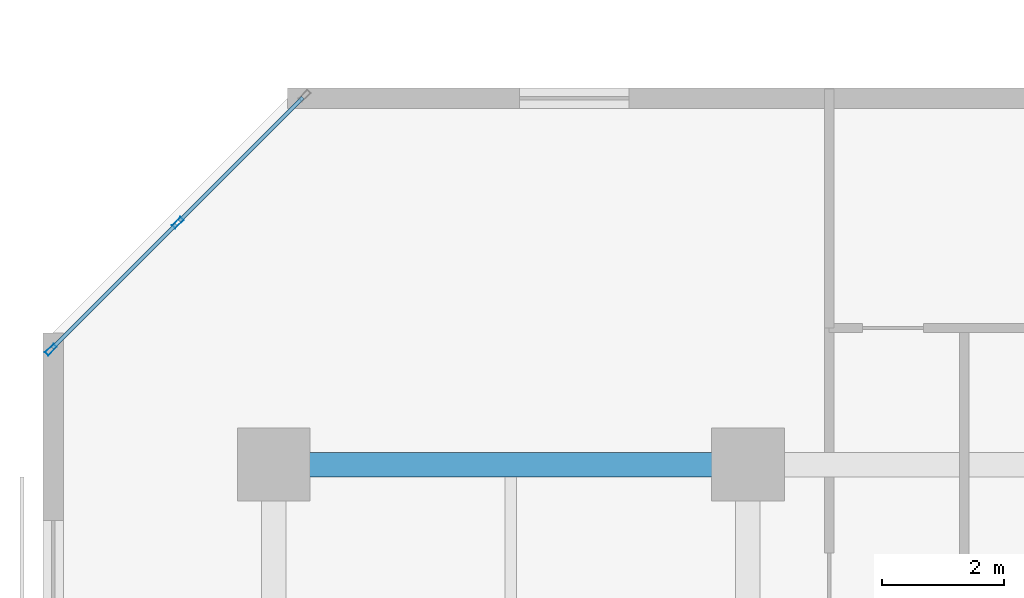
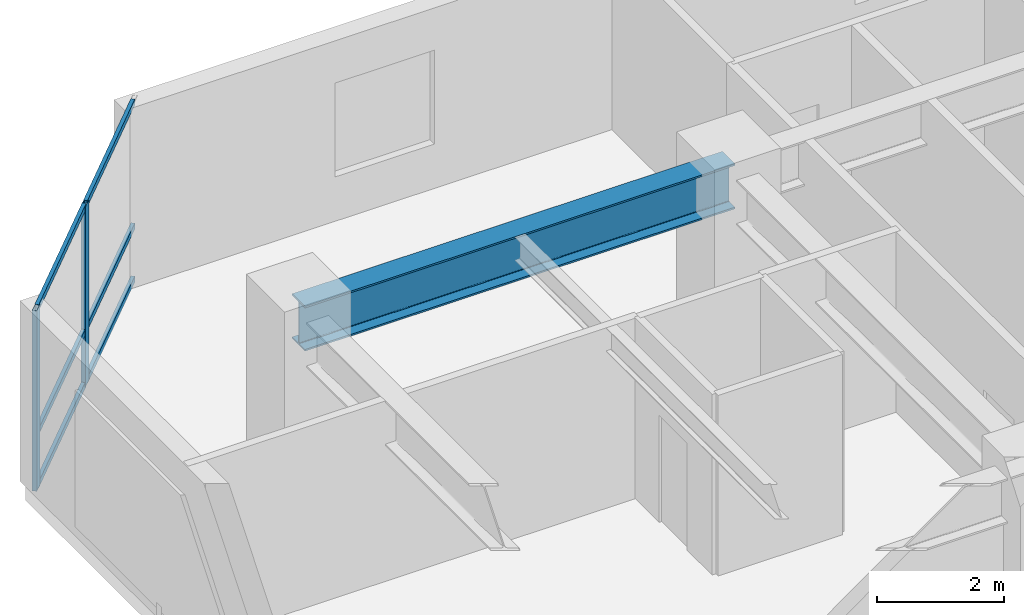
# One storey, part 2 of 11: 8 members, 1 beam, 1 element without a shape of its own.
"""IFC4 building model written with IfcOpenShell, lengths in metres."""

from ifc_helpers import new_model, si_unit, direction, frame, origin, origin_2d, place, context, subcontext, project, spatial, hollow_rectangle, i_section, extrude, material, layer, layer_set, material_profile, profile_set, type_object, element, aggregate, save


model = new_model("IFC4")

# Units and contexts
model_context = context("Model", 3, precision=1e-05, world=origin(), true_north=direction((0.0, 1.0)))
body_context = subcontext(model_context, "Body", "Model", "MODEL_VIEW")
ifc_project = project(units=[si_unit("LENGTHUNIT", "METRE"), si_unit("AREAUNIT", "SQUARE_METRE"), si_unit("VOLUMEUNIT", "CUBIC_METRE"), si_unit("PLANEANGLEUNIT", "RADIAN"), si_unit("MASSUNIT", "GRAM", prefix="KILO")], contexts=[model_context])

# Site, building, storey
site_placement = place(None, origin())
site = spatial("IfcSite", under=ifc_project, at=site_placement, CompositionType="ELEMENT")
building_placement = place(site_placement, origin())
building = spatial("IfcBuilding", under=site, at=building_placement, Name="Kestravale Grand Hotel", CompositionType="ELEMENT")
storey_placement = place(building_placement, frame((0.0, 0.0, 126.0)))
storey = spatial("IfcBuildingStorey", under=building, at=storey_placement, Name="L31", CompositionType="ELEMENT", Elevation=126.0)

# Beam
ifc_material_1 = material(Name="Steel ASTM A992 Grade 50", Category="steel")
ifc_material_profile_1 = material_profile(ifc_material_1, i_section(OverallWidth=0.40087890625, OverallDepth=0.861083984375, WebThickness=0.019775390625, FlangeThickness=0.032470703125, FilletRadius=0.0234375, at=origin_2d()))
ifc_profile_set_1 = profile_set([ifc_material_profile_1], Name="Steel ASTM A992 Grade 50")
beam_type = type_object("IfcBeamType", Name="B-GRD-W33", PredefinedType="BEAM", material=ifc_profile_set_1)
beam_placement = place(storey_placement, frame((7.800048828125, 38.39990234375, 3.029541015625), z_axis=(1.0, 0.0, 0.0), x_axis=(0.0, 1.0, 0.0)))
element("IfcBeam", 1, at=beam_placement, inside=storey, type_object=beam_type, Name="L31 girder F:2-3", PredefinedType="BEAM", context=body_context, shape_type="SweptSolid", body=[
    extrude(i_section(OverallWidth=0.40087890625, OverallDepth=0.861083984375, WebThickness=0.019775390625, FlangeThickness=0.032470703125, FilletRadius=0.0234375, at=origin_2d()), origin(), (0.0, 0.0, 1.0), 7.800048828125),
])

# Curtain wall, members
ifc_material_2 = material(Name="Thermally broken champagne-bronze aluminium and low-E glazing", Category="aluminium")
ifc_layer = layer(ifc_material_2, 0.199951171875)
ifc_layer_set = layer_set([ifc_layer], Name="CW-Z2")
curtain_wall_type = type_object("IfcCurtainWallType", Name="CW-Z2", PredefinedType="NOTDEFINED", material=ifc_layer_set)
curtain_wall_placement = place(storey_placement, origin())
curtain_wall = element("IfcCurtainWall", 2, at=curtain_wall_placement, inside=storey, type_object=curtain_wall_type, Name="L31 unitised curtain wall 18", PredefinedType="NOTDEFINED")
ifc_material_3 = material(Name="Aluminium 6063-T6 anodised", Category="aluminium")
ifc_material_profile_2 = material_profile(ifc_material_3, hollow_rectangle(XDim=0.074951171875, YDim=0.199951171875, WallThickness=0.00390625, at=origin_2d()))
ifc_profile_set_2 = profile_set([ifc_material_profile_2], Name="Aluminium 6063-T6 anodised")
member_type_1 = type_object("IfcMemberType", Name="CW-MUL-200", PredefinedType="MULLION", material=ifc_profile_set_2)
member_1_placement = place(storey_placement, frame((6.22021484375, 42.3798828125, 0.0), z_axis=(0.0, 0.0, 1.0), x_axis=(0.707106781187, -0.707106781187, 0.0)))
member_1 = element("IfcMember", 3, at=member_1_placement, type_object=member_type_1, Name="CW-Z2 mullion 2", PredefinedType="MULLION", context=body_context, shape_type="SweptSolid", body=[
    extrude(hollow_rectangle(XDim=0.074951171875, YDim=0.199951171875, WallThickness=0.00390625, at=origin_2d()), origin(), (0.0, 0.0, 1.0), 3.4599609375),
])
member_2_placement = place(storey_placement, frame((4.132568359375, 40.292236328125, 0.0), z_axis=(0.0, 0.0, 1.0), x_axis=(0.707106781187, -0.707106781187, 0.0)))
member_2 = element("IfcMember", 4, at=member_2_placement, type_object=member_type_1, Name="CW-Z2 mullion 3", PredefinedType="MULLION", context=body_context, shape_type="SweptSolid", body=[
    extrude(hollow_rectangle(XDim=0.074951171875, YDim=0.199951171875, WallThickness=0.00390625, at=origin_2d()), origin(), (0.0, 0.0, 1.0), 3.4599609375),
])
ifc_material_4 = material(Name="Aluminium 6063-T6 anodised", Category="aluminium")
ifc_material_profile_3 = material_profile(ifc_material_4, hollow_rectangle(XDim=0.06494140625, YDim=0.114990234375, WallThickness=0.003173828125, at=origin_2d()))
ifc_profile_set_3 = profile_set([ifc_material_profile_3], Name="Aluminium 6063-T6 anodised")
member_type_2 = type_object("IfcMemberType", Name="CW-TRN-115", PredefinedType="USERDEFINED", material=ifc_profile_set_3)
member_3_placement = place(storey_placement, frame((8.28125, 44.44091796875, 0.032470703125), z_axis=(-0.707064354356, -0.707149205472, 0.0), x_axis=(0.707149205472, -0.707064354356, 0.0)))
member_3 = element("IfcMember", 5, at=member_3_placement, type_object=member_type_2, Name="CW-Z2 transom 1.1", ObjectType="TRANSOM", PredefinedType="USERDEFINED", context=body_context, shape_type="SweptSolid", body=[
    extrude(hollow_rectangle(XDim=0.06494140625, YDim=0.114990234375, WallThickness=0.003173828125, at=origin_2d()), origin(), (0.0, 0.0, 1.0), 2.877197265625),
])
member_4_placement = place(storey_placement, frame((8.28125, 44.44091796875, 1.050048828125), z_axis=(-0.707064354356, -0.707149205472, 0.0), x_axis=(0.707149205472, -0.707064354356, 0.0)))
member_4 = element("IfcMember", 6, at=member_4_placement, type_object=member_type_2, Name="CW-Z2 transom 1.2", ObjectType="TRANSOM", PredefinedType="USERDEFINED", context=body_context, shape_type="SweptSolid", body=[
    extrude(hollow_rectangle(XDim=0.06494140625, YDim=0.114990234375, WallThickness=0.003173828125, at=origin_2d()), origin(), (0.0, 0.0, 1.0), 2.877197265625),
])
member_5_placement = place(storey_placement, frame((8.28125, 44.44091796875, 3.427490234375), z_axis=(-0.707064354356, -0.707149205472, 0.0), x_axis=(0.707149205472, -0.707064354356, 0.0)))
member_5 = element("IfcMember", 7, at=member_5_placement, type_object=member_type_2, Name="CW-Z2 transom 1.3", ObjectType="TRANSOM", PredefinedType="USERDEFINED", context=body_context, shape_type="SweptSolid", body=[
    extrude(hollow_rectangle(XDim=0.06494140625, YDim=0.114990234375, WallThickness=0.003173828125, at=origin_2d()), origin(), (0.0, 0.0, 1.0), 2.877197265625),
])
member_6_placement = place(storey_placement, frame((6.193603515625, 42.353271484375, 0.032470703125), z_axis=(-0.707106781187, -0.707106781187, 0.0), x_axis=(0.707106781187, -0.707106781187, 0.0)))
member_6 = element("IfcMember", 8, at=member_6_placement, type_object=member_type_2, Name="CW-Z2 transom 2.1", ObjectType="TRANSOM", PredefinedType="USERDEFINED", context=body_context, shape_type="SweptSolid", body=[
    extrude(hollow_rectangle(XDim=0.06494140625, YDim=0.114990234375, WallThickness=0.003173828125, at=origin_2d()), origin(), (0.0, 0.0, 1.0), 2.87744140625),
])
member_7_placement = place(storey_placement, frame((6.193603515625, 42.353271484375, 1.050048828125), z_axis=(-0.707106781187, -0.707106781187, 0.0), x_axis=(0.707106781187, -0.707106781187, 0.0)))
member_7 = element("IfcMember", 9, at=member_7_placement, type_object=member_type_2, Name="CW-Z2 transom 2.2", ObjectType="TRANSOM", PredefinedType="USERDEFINED", context=body_context, shape_type="SweptSolid", body=[
    extrude(hollow_rectangle(XDim=0.06494140625, YDim=0.114990234375, WallThickness=0.003173828125, at=origin_2d()), origin(), (0.0, 0.0, 1.0), 2.87744140625),
])
member_8_placement = place(storey_placement, frame((6.193603515625, 42.353271484375, 3.427490234375), z_axis=(-0.707106781187, -0.707106781187, 0.0), x_axis=(0.707106781187, -0.707106781187, 0.0)))
member_8 = element("IfcMember", 10, at=member_8_placement, type_object=member_type_2, Name="CW-Z2 transom 2.3", ObjectType="TRANSOM", PredefinedType="USERDEFINED", context=body_context, shape_type="SweptSolid", body=[
    extrude(hollow_rectangle(XDim=0.06494140625, YDim=0.114990234375, WallThickness=0.003173828125, at=origin_2d()), origin(), (0.0, 0.0, 1.0), 2.87744140625),
])
aggregate(curtain_wall, [member_1, member_2, member_3, member_4, member_5, member_6, member_7, member_8])

save(model, "model.ifc")
